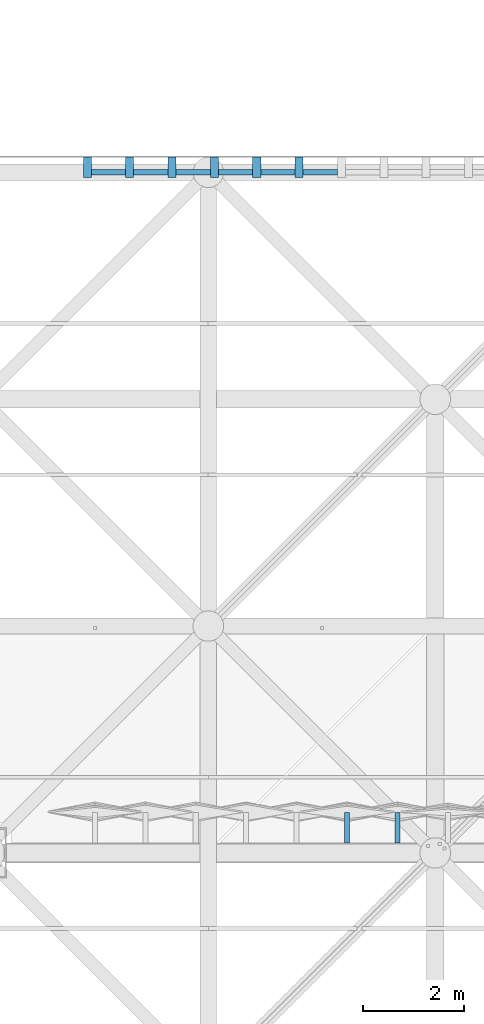
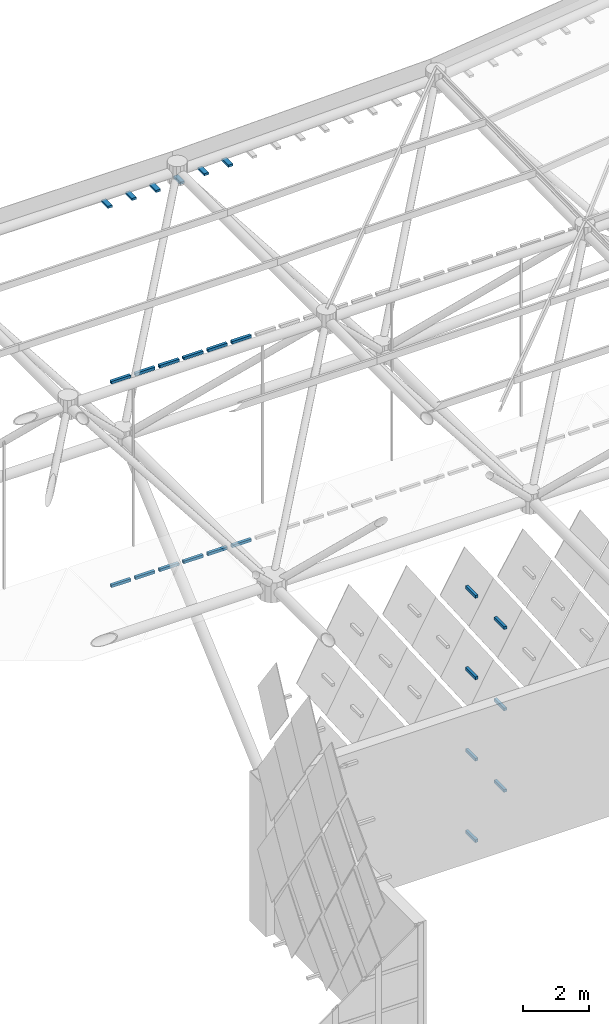
# One storey, part 393 of 437: 25 discrete accessories.
"""IFC4 building model written with IfcOpenShell, lengths in metres."""

from ifc_helpers import new_model, si_unit, direction, frame, origin, origin_2d, place, context, subcontext, project, spatial, polyline, rectangle, hollow_rectangle, outline, extrude, material, material_profile, profile_set, type_object, element, save


model = new_model("IFC4")

# Units and contexts
model_context = context("Model", 3, precision=1e-05, world=origin(), true_north=direction((0.0, 1.0)))
body_context = subcontext(model_context, "Body", "Model", "MODEL_VIEW")
ifc_project = project(units=[si_unit("LENGTHUNIT", "METRE"), si_unit("AREAUNIT", "SQUARE_METRE"), si_unit("VOLUMEUNIT", "CUBIC_METRE"), si_unit("PLANEANGLEUNIT", "RADIAN"), si_unit("MASSUNIT", "GRAM", prefix="KILO")], contexts=[model_context])

# Site, building, storey
site_placement = place(None, origin())
site = spatial("IfcSite", under=ifc_project, at=site_placement, CompositionType="ELEMENT")
building_placement = place(site_placement, origin())
building = spatial("IfcBuilding", under=site, at=building_placement, Name="Opaline Strait Convention Centre", CompositionType="ELEMENT")
storey_placement = place(building_placement, frame((0.0, 0.0, 11.5)))
storey = spatial("IfcBuildingStorey", under=building, at=storey_placement, Name="L02", CompositionType="ELEMENT", Elevation=11.5)

# Discrete accessories
ifc_material = material(Name="Steel Q355B", Category="steel")
discrete_accessory_type_1 = type_object("IfcDiscreteAccessoryType", Name="Blade head bracket 160x400x80", PredefinedType="BRACKET", material=ifc_material)
for number, where, z_axis, x_axis, name in (
    (1, (209.10009765625, 166.60009765625, 17.5), (0.0, 0.0, 1.0), (1.0, 0.0, 0.0), "Blade head bracket E01"),
    (2, (209.93994140625, 166.60009765625, 17.5), (0.0, 0.0, 1.0), (1.0, 0.0, 0.0), "Blade head bracket E02"),
    (3, (210.780029296875, 166.60009765625, 17.5), (0.0, 0.0, 1.0), (1.0, 0.0, 0.0), "Blade head bracket E03"),
    (4, (211.6201171875, 166.60009765625, 17.50341796875), (0.0, 0.0, 1.0), (1.0, 0.0, 0.0), "Blade head bracket E04"),
    (5, (212.4599609375, 166.60009765625, 17.52685546875), (0.0, 0.0, 1.0), (1.0, 0.0, 0.0), "Blade head bracket E05"),
    (6, (213.300048828125, 166.60009765625, 17.550537109375), (0.0, 0.0, 1.0), (1.0, 0.0, 0.0), "Blade head bracket E06"),
):
    element("IfcDiscreteAccessory", number, at=place(storey_placement, frame(where, z_axis=z_axis, x_axis=x_axis)), inside=storey, type_object=discrete_accessory_type_1, Name=name, PredefinedType="BRACKET", context=body_context, shape_type="SweptSolid", body=[
        extrude(rectangle(XDim=0.159912109375, YDim=0.39990234375, at=origin_2d()), origin(), (0.0, 0.0, 1.0), 0.080078125),
    ])
ifc_material_profile = material_profile(ifc_material, hollow_rectangle(XDim=0.10009765625, YDim=0.10009765625, WallThickness=0.006103515625, at=origin_2d()), Name="RHS 100x100x6")
ifc_profile_set = profile_set([ifc_material_profile], Name="Steel Q355B")
discrete_accessory_type_2 = type_object("IfcDiscreteAccessoryType", Name="Blade rail RHS 100x100x6", PredefinedType="BRACKET", material=ifc_profile_set)
discrete_accessory_1_placement = place(storey_placement, frame((209.179931640625, 166.5, 3.5), z_axis=(1.0, 0.0, 0.0), x_axis=(0.0, 1.0, 0.0)))
element("IfcDiscreteAccessory", 7, at=discrete_accessory_1_placement, inside=storey, type_object=discrete_accessory_type_2, Name="Blade rail 2 E", PredefinedType="BRACKET", context=body_context, shape_type="SweptSolid", body=[
    extrude(hollow_rectangle(XDim=0.10009765625, YDim=0.10009765625, WallThickness=0.006103515625, at=origin_2d()), origin(), (0.0, 0.0, 1.0), 0.68017578125),
])
for number, where, z_axis, x_axis, name in (
    (8, (210.02001953125, 166.5, 3.5), (1.0, 0.0, 0.0), (0.0, 1.0, 0.0), "Blade rail 2 E"),
    (9, (210.860107421875, 166.5, 3.5), (1.0, 0.0, 0.0), (0.0, 1.0, 0.0), "Blade rail 2 E"),
    (10, (211.699951171875, 166.5, 3.5), (1.0, 0.0, 0.0), (0.0, 1.0, 0.0), "Blade rail 2 E"),
    (11, (212.5400390625, 166.5, 3.5), (1.0, 0.0, 0.0), (0.0, 1.0, 0.0), "Blade rail 2 E"),
):
    element("IfcDiscreteAccessory", number, at=place(storey_placement, frame(where, z_axis=z_axis, x_axis=x_axis)), inside=storey, type_object=discrete_accessory_type_2, Name=name, PredefinedType="BRACKET", context=body_context, shape_type="SweptSolid", body=[
        extrude(hollow_rectangle(XDim=0.10009765625, YDim=0.10009765625, WallThickness=0.006103515625, at=origin_2d()), origin(), (0.0, 0.0, 1.0), 0.679931640625),
    ])
for number, where, z_axis, x_axis, name in (
    (12, (213.3798828125, 166.5, 3.5), (1.0, 0.0, 0.0), (0.0, 1.0, 0.0), "Blade rail 2 E"),
    (13, (209.179931640625, 166.5, 11.0), (1.0, 0.0, 0.0), (0.0, 1.0, 0.0), "Blade rail 3 E"),
):
    element("IfcDiscreteAccessory", number, at=place(storey_placement, frame(where, z_axis=z_axis, x_axis=x_axis)), inside=storey, type_object=discrete_accessory_type_2, Name=name, PredefinedType="BRACKET", context=body_context, shape_type="SweptSolid", body=[
        extrude(hollow_rectangle(XDim=0.10009765625, YDim=0.10009765625, WallThickness=0.006103515625, at=origin_2d()), origin(), (0.0, 0.0, 1.0), 0.68017578125),
    ])
for number, where, z_axis, x_axis, name in (
    (14, (210.02001953125, 166.5, 11.0), (1.0, 0.0, 0.0), (0.0, 1.0, 0.0), "Blade rail 3 E"),
    (15, (210.860107421875, 166.5, 11.0), (1.0, 0.0, 0.0), (0.0, 1.0, 0.0), "Blade rail 3 E"),
    (16, (211.699951171875, 166.5, 11.0), (1.0, 0.0, 0.0), (0.0, 1.0, 0.0), "Blade rail 3 E"),
    (17, (212.5400390625, 166.5, 11.0), (1.0, 0.0, 0.0), (0.0, 1.0, 0.0), "Blade rail 3 E"),
):
    element("IfcDiscreteAccessory", number, at=place(storey_placement, frame(where, z_axis=z_axis, x_axis=x_axis)), inside=storey, type_object=discrete_accessory_type_2, Name=name, PredefinedType="BRACKET", context=body_context, shape_type="SweptSolid", body=[
        extrude(hollow_rectangle(XDim=0.10009765625, YDim=0.10009765625, WallThickness=0.006103515625, at=origin_2d()), origin(), (0.0, 0.0, 1.0), 0.679931640625),
    ])
discrete_accessory_2_placement = place(storey_placement, frame((213.3798828125, 166.5, 11.0), z_axis=(1.0, 0.0, 0.0), x_axis=(0.0, 1.0, 0.0)))
element("IfcDiscreteAccessory", 18, at=discrete_accessory_2_placement, inside=storey, type_object=discrete_accessory_type_2, Name="Blade rail 3 E", PredefinedType="BRACKET", context=body_context, shape_type="SweptSolid", body=[
    extrude(hollow_rectangle(XDim=0.10009765625, YDim=0.10009765625, WallThickness=0.006103515625, at=origin_2d()), origin(), (0.0, 0.0, 1.0), 0.68017578125),
])
discrete_accessory_type_3 = type_object("IfcDiscreteAccessoryType", Name="Tile bracket 100x100 steel", PredefinedType="BRACKET", material=ifc_material)
discrete_accessory_3_placement = place(storey_placement, frame((214.300048828125, 153.199951171875, 0.39208984375), z_axis=(-1.0, 0.0, 0.0), x_axis=(0.0, -1.0, 0.0)))
element("IfcDiscreteAccessory", 19, at=discrete_accessory_3_placement, inside=storey, type_object=discrete_accessory_type_3, Name="Tile bracket XT14 N", PredefinedType="BRACKET", context=body_context, shape_type="SweptSolid", body=[
    extrude(outline(polyline([(0.0, -0.050048828125), (0.0, 0.050048828125), (-0.606201171875, 0.050048828125), (-0.59375, -0.050048828125), (0.0, -0.050048828125)])), origin(), (0.0, 0.0, 1.0), 0.10009765625),
])
for number, where, z_axis, x_axis, name in (
    (20, (215.300048828125, 153.199951171875, 1.89208984375), (-1.0, 0.0, 0.0), (0.0, -1.0, 0.0), "Tile bracket XT15 N"),
    (21, (214.300048828125, 153.199951171875, 3.39208984375), (-1.0, 0.0, 0.0), (0.0, -1.0, 0.0), "Tile bracket XT15 N"),
):
    element("IfcDiscreteAccessory", number, at=place(storey_placement, frame(where, z_axis=z_axis, x_axis=x_axis)), inside=storey, type_object=discrete_accessory_type_3, Name=name, PredefinedType="BRACKET", context=body_context, shape_type="SweptSolid", body=[
        extrude(outline(polyline([(0.0, -0.050048828125), (0.0, 0.050048828125), (-0.606689453125, 0.050048828125), (-0.593505859375, -0.050048828125), (0.0, -0.050048828125)])), origin(), (0.0, 0.0, 1.0), 0.10009765625),
    ])
discrete_accessory_4_placement = place(storey_placement, frame((215.300048828125, 153.199951171875, 4.89208984375), z_axis=(-1.0, 0.0, 0.0), x_axis=(0.0, -1.0, 0.0)))
element("IfcDiscreteAccessory", 22, at=discrete_accessory_4_placement, inside=storey, type_object=discrete_accessory_type_3, Name="Tile bracket XT14 N", PredefinedType="BRACKET", context=body_context, shape_type="SweptSolid", body=[
    extrude(outline(polyline([(0.0, -0.050048828125), (0.0, 0.050048828125), (-0.606201171875, 0.050048828125), (-0.59375, -0.050048828125), (0.0, -0.050048828125)])), origin(), (0.0, 0.0, 1.0), 0.10009765625),
])
discrete_accessory_5_placement = place(storey_placement, frame((214.300048828125, 153.199951171875, 6.39208984375), z_axis=(-1.0, 0.0, 0.0), x_axis=(0.0, -1.0, 0.0)))
element("IfcDiscreteAccessory", 23, at=discrete_accessory_5_placement, inside=storey, type_object=discrete_accessory_type_3, Name="Tile bracket XT13 N", PredefinedType="BRACKET", context=body_context, shape_type="SweptSolid", body=[
    extrude(outline(polyline([(0.0, -0.050048828125), (0.0, 0.050048828125), (-0.605712890625, 0.050048828125), (-0.59423828125, -0.050048828125), (0.0, -0.050048828125)])), origin(), (0.0, 0.0, 1.0), 0.10009765625),
])
for number, where, z_axis, x_axis, name in (
    (24, (215.300048828125, 153.199951171875, 7.89208984375), (-1.0, 0.0, 0.0), (0.0, -1.0, 0.0), "Tile bracket XT10 N"),
    (25, (214.300048828125, 153.199951171875, 9.39208984375), (-1.0, 0.0, 0.0), (0.0, -1.0, 0.0), "Tile bracket XT10 N"),
):
    element("IfcDiscreteAccessory", number, at=place(storey_placement, frame(where, z_axis=z_axis, x_axis=x_axis)), inside=storey, type_object=discrete_accessory_type_3, Name=name, PredefinedType="BRACKET", context=body_context, shape_type="SweptSolid", body=[
        extrude(outline(polyline([(0.0, -0.050048828125), (0.0, 0.050048828125), (-0.604248046875, 0.050048828125), (-0.595703125, -0.050048828125), (0.0, -0.050048828125)])), origin(), (0.0, 0.0, 1.0), 0.10009765625),
    ])

save(model, "model.ifc")
